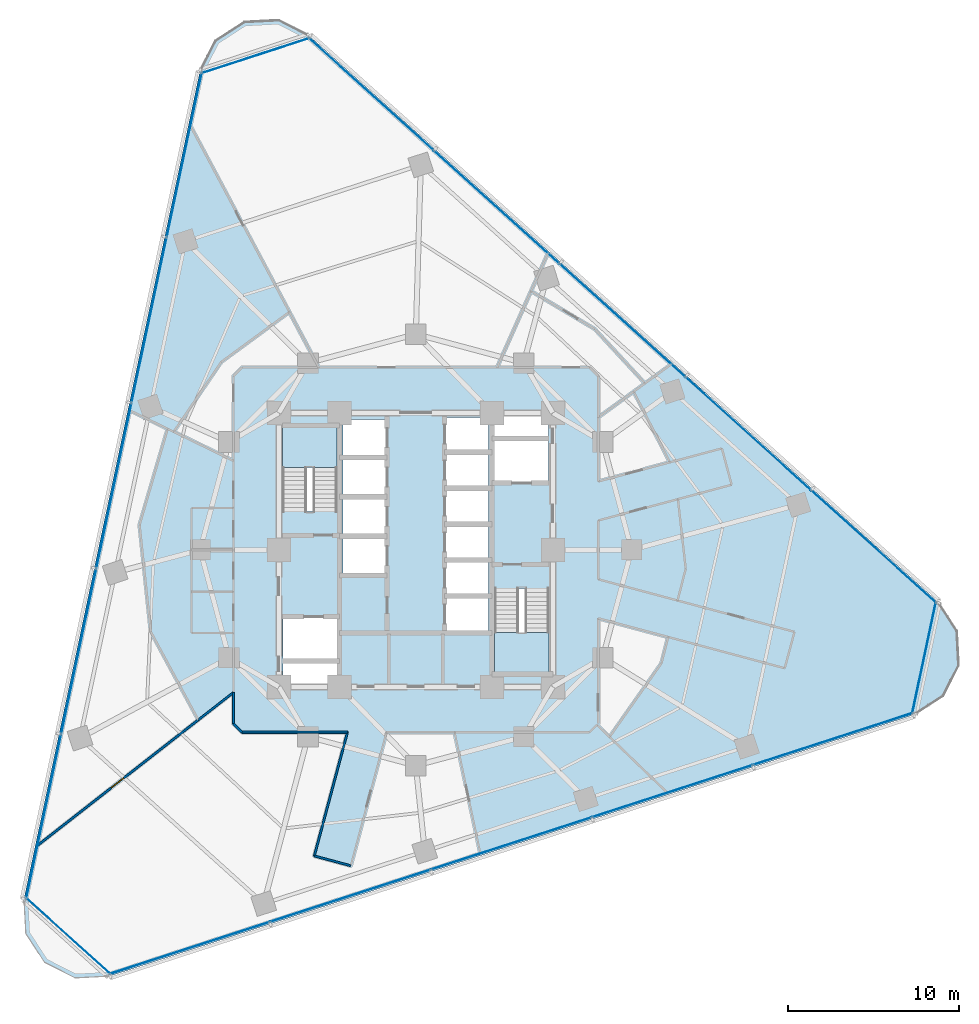
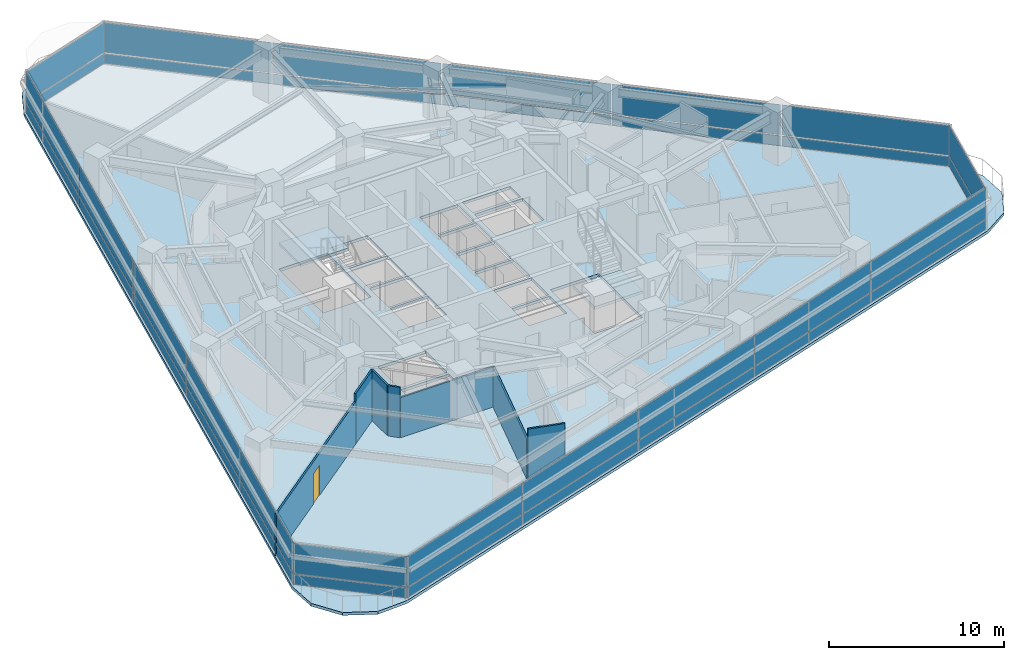
# One storey, part 6 of 13: 36 plates, 7 walls, 3 slabs, 1 door, 1 opening, 8 elements without a shape of their own.
"""IFC4 building model written with IfcOpenShell, lengths in metres."""

from ifc_helpers import new_model, si_unit, direction, frame, frame_2d, origin, origin_2d, place, context, subcontext, project, spatial, polyline, rectangle, outline, extrude, material, layer, layer_set, type_object, element, fill, aggregate, save


model = new_model("IFC4")

# Units and contexts
model_context = context("Model", 3, precision=1e-05, world=origin(), true_north=direction((0.0, 1.0)))
body_context = subcontext(model_context, "Body", "Model", "MODEL_VIEW")
ifc_project = project(units=[si_unit("LENGTHUNIT", "METRE"), si_unit("AREAUNIT", "SQUARE_METRE"), si_unit("VOLUMEUNIT", "CUBIC_METRE"), si_unit("PLANEANGLEUNIT", "RADIAN"), si_unit("MASSUNIT", "GRAM", prefix="KILO")], contexts=[model_context])

# Site, building, storey
site_placement = place(None, origin())
site = spatial("IfcSite", under=ifc_project, at=site_placement, CompositionType="ELEMENT")
building_placement = place(site_placement, origin())
building = spatial("IfcBuilding", under=site, at=building_placement, Name="Terralouvre Media Tower", CompositionType="ELEMENT")
storey_placement = place(building_placement, frame((0.0, 0.0, 105.10009765625)))
storey = spatial("IfcBuildingStorey", under=building, at=storey_placement, Name="L26", CompositionType="ELEMENT", Elevation=105.10009765625)

# Slab
ifc_material_1 = material(Name="Concrete C40/50", Category="concrete")
ifc_layer_1 = layer(ifc_material_1, 0.199951171875, Name="Composite Tower Floor Slab S-TYP200")
ifc_layer_set_1 = layer_set([ifc_layer_1], Name="Concrete C40/50")
slab_type_1 = type_object("IfcSlabType", Name="Composite Tower Floor Slab S-TYP200", PredefinedType="FLOOR", material=ifc_layer_set_1)
slab_1_placement = place(storey_placement, frame((0.0, 0.0, -0.2001953125), z_axis=(0.0, 0.0, 1.0), x_axis=(0.951056516295, 0.309016994375, 0.0)))
element("IfcSlab", 1, at=slab_1_placement, inside=storey, type_object=slab_type_1, Name="L26 Structural Floor Slab", PredefinedType="FLOOR", context=body_context, shape_type="SweptSolid", body=[
    extrude(outline(polyline([(-28.080078125, -12.33203125), (-28.60009765625, -14.272216796875), (-28.080078125, -16.212158203125), (-26.659912109375, -17.63232421875), (-24.719970703125, -18.152099609375), (24.719970703125, -18.152099609375), (26.659912109375, -17.63232421875), (28.080078125, -16.212158203125), (28.60009765625, -14.272216796875), (28.080078125, -12.33203125), (3.360107421875, 30.484130859375), (1.93994140625, 31.904296875), (0.0, 32.424072265625), (-1.93994140625, 31.904296875), (-3.360107421875, 30.484130859375), (-28.080078125, -12.33203125)]), holes=[polyline([(-6.78515625, -5.996826171875), (-9.781005859375, -5.0234375), (-9.41015625, -3.882080078125), (-6.414306640625, -4.85546875), (-6.78515625, -5.996826171875)]), polyline([(-6.3525390625, -4.665283203125), (-9.348388671875, -3.69189453125), (-8.59130859375, -1.36181640625), (-5.595458984375, -2.335205078125), (-6.3525390625, -4.665283203125)]), polyline([(-2.103271484375, -0.809814453125), (-4.480712890625, -0.037109375), (-3.819580078125, 1.998046875), (-1.44189453125, 1.2255859375), (-2.103271484375, -0.809814453125)]), polyline([(-1.392333984375, 1.377685546875), (-3.77001953125, 2.150146484375), (-3.108642578125, 4.185546875), (-0.731201171875, 3.4130859375), (-1.392333984375, 1.377685546875)]), polyline([(4.5302734375, 0.189453125), (2.152587890625, 0.9619140625), (2.752197265625, 2.806884765625), (5.129638671875, 2.034423828125), (4.5302734375, 0.189453125)]), polyline([(-0.681640625, 3.565185546875), (-3.059326171875, 4.337646484375), (-2.39794921875, 6.373046875), (-0.020263671875, 5.600341796875), (-0.681640625, 3.565185546875)]), polyline([(-3.68115234375, 3.556640625), (-6.70556640625, 4.539306640625), (-5.15576171875, 9.308837890625), (-2.13134765625, 8.326171875), (-3.68115234375, 3.556640625)]), polyline([(0.029052734375, 5.752685546875), (-2.3486328125, 6.525146484375), (-1.687255859375, 8.560302734375), (0.6904296875, 7.787841796875), (0.029052734375, 5.752685546875)]), polyline([(3.68115234375, -3.556640625), (6.70556640625, -4.539306640625), (5.15576171875, -9.308837890625), (2.13134765625, -8.326171875), (3.68115234375, -3.556640625)]), polyline([(2.58349609375, -5.80224609375), (0.205810546875, -5.02978515625), (0.80517578125, -3.184814453125), (3.182861328125, -3.957275390625), (2.58349609375, -5.80224609375)]), polyline([(3.232421875, -3.80517578125), (0.854736328125, -3.032470703125), (1.4541015625, -1.1875), (3.831787109375, -1.9599609375), (3.232421875, -3.80517578125)]), polyline([(3.88134765625, -1.807861328125), (1.503662109375, -1.035400390625), (2.103271484375, 0.809814453125), (4.480712890625, 0.037109375), (3.88134765625, -1.807861328125)]), polyline([(5.17919921875, 2.1865234375), (2.801513671875, 2.959228515625), (3.401123046875, 4.80419921875), (5.778564453125, 4.031494140625), (5.17919921875, 2.1865234375)]), polyline([(8.59130859375, 1.36181640625), (5.595458984375, 2.335205078125), (6.3525390625, 4.665283203125), (9.348388671875, 3.69189453125), (8.59130859375, 1.36181640625)]), polyline([(5.828125, 4.183837890625), (3.450439453125, 4.956298828125), (4.050048828125, 6.80126953125), (6.427490234375, 6.02880859375), (5.828125, 4.183837890625)]), polyline([(9.41015625, 3.882080078125), (6.414306640625, 4.85546875), (6.78515625, 5.996826171875), (9.781005859375, 5.0234375), (9.41015625, 3.882080078125)])]), origin(), (0.0, 0.0, 1.0), 0.2001953125),
])

# Stair, slab
ifc_material_2 = material(Name="Concrete C45/55", Category="concrete")
stair_type_1 = type_object("IfcStairType", Name="Dogleg Stair Assembly ST-01", PredefinedType="HALF_TURN_STAIR", material=ifc_material_2)
stair_1_placement = place(storey_placement, origin())
stair_1 = element("IfcStair", 2, at=stair_1_placement, inside=storey, type_object=stair_type_1, Name="L26 Core Pressurised Exit Stair ST-01", PredefinedType="HALF_TURN_STAIR")
ifc_material_3 = material(Name="Concrete C45/55", Category="concrete")
ifc_layer_2 = layer(ifc_material_3, 0.199951171875, Name="Reinforced Concrete Stair Half-Landing SL-LD1")
ifc_layer_set_2 = layer_set([ifc_layer_2], Name="Concrete C45/55")
slab_type_2 = type_object("IfcSlabType", Name="Reinforced Concrete Stair Half-Landing SL-LD1", PredefinedType="LANDING", material=ifc_layer_set_2)
slab_2_placement = place(storey_placement, frame((0.0, 0.0, 1.64990234375)))
slab_2 = element("IfcSlab", 3, at=slab_2_placement, type_object=slab_type_2, Name="ST-01 landing 1", PredefinedType="LANDING", context=body_context, shape_type="SweptSolid", body=[
    extrude(outline(polyline([(-4.60009765625, 4.820068359375), (-4.60009765625, 7.260009765625), (-7.780029296875, 7.260009765625), (-7.780029296875, 4.820068359375), (-4.60009765625, 4.820068359375)])), origin(), (0.0, 0.0, 1.0), 0.199951171875),
])
aggregate(stair_1, [slab_2])

ifc_material_4 = material(Name="Concrete C45/55", Category="concrete")
stair_type_2 = type_object("IfcStairType", Name="Dogleg Stair Assembly ST-02", PredefinedType="HALF_TURN_STAIR", material=ifc_material_4)
stair_2_placement = place(storey_placement, origin())
stair_2 = element("IfcStair", 4, at=stair_2_placement, inside=storey, type_object=stair_type_2, Name="L26 Core Pressurised Exit Stair ST-02", PredefinedType="HALF_TURN_STAIR")
slab_3_placement = place(storey_placement, frame((0.0, 0.0, 1.64990234375)))
slab_3 = element("IfcSlab", 5, at=slab_3_placement, type_object=slab_type_2, Name="ST-02 landing 1", PredefinedType="LANDING", context=body_context, shape_type="SweptSolid", body=[
    extrude(outline(polyline([(4.60009765625, -4.820068359375), (4.60009765625, -7.260009765625), (7.780029296875, -7.260009765625), (7.780029296875, -4.820068359375), (4.60009765625, -4.820068359375)])), origin(), (0.0, 0.0, 1.0), 0.199951171875),
])
aggregate(stair_2, [slab_3])

# Curtain wall, plates
ifc_material_5 = material(Name="Low-iron laminated double glazing with solar-control coating", Category="glass")
ifc_layer_3 = layer(ifc_material_5, 0.1650390625, Name="Rounded Wind-Corner Curved Glazing CW-04")
ifc_layer_set_3 = layer_set([ifc_layer_3], Name="Low-iron laminated double glazing with solar-control coating")
curtain_wall_type_1 = type_object("IfcCurtainWallType", Name="Rounded Wind-Corner Curved Glazing CW-04", PredefinedType="NOTDEFINED", material=ifc_layer_set_3)
curtain_wall_1_placement = place(storey_placement, origin())
curtain_wall_1 = element("IfcCurtainWall", 6, at=curtain_wall_1_placement, inside=storey, type_object=curtain_wall_type_1, Name="L26 Rounded Wind-Corner Curtain Wall C0", PredefinedType="NOTDEFINED")
ifc_material_6 = material(Name="Low-iron laminated double glazing with solar-control coating", Category="glass")
ifc_layer_4 = layer(ifc_material_6, 0.0400390625, Name="Rounded Corner Laminated Vision Panel CWP-03")
ifc_layer_set_4 = layer_set([ifc_layer_4], Name="Low-iron laminated double glazing with solar-control coating")
plate_type_1 = type_object("IfcPlateType", Name="Rounded Corner Laminated Vision Panel CWP-03", PredefinedType="CURTAIN_PANEL", material=ifc_layer_set_4)
plate_1_placement = place(storey_placement, frame((-20.30419921875, -22.550048828125, 0.074951171875), z_axis=(0.0, 0.0, 1.0), x_axis=(0.743144668471, -0.669130780732, 0.0)))
plate_1 = element("IfcPlate", 7, at=plate_1_placement, type_object=plate_type_1, Name="CW-04 panel 1.1", PredefinedType="CURTAIN_PANEL", context=body_context, shape_type="SweptSolid", body=[
    extrude(rectangle(XDim=6.5703125, YDim=0.035888671875, at=origin_2d()), origin(), (0.0, 0.0, 1.0), 0.6875),
])
plate_2_placement = place(storey_placement, frame((-20.30419921875, -22.550048828125, 0.83740234375), z_axis=(0.0, 0.0, 1.0), x_axis=(0.743144668471, -0.669130780732, 0.0)))
plate_2 = element("IfcPlate", 8, at=plate_2_placement, type_object=plate_type_1, Name="CW-04 panel 1.2", PredefinedType="CURTAIN_PANEL", context=body_context, shape_type="SweptSolid", body=[
    extrude(rectangle(XDim=6.5703125, YDim=0.035888671875, at=origin_2d()), origin(), (0.0, 0.0, 1.0), 2.08740234375),
])
aggregate(curtain_wall_1, [plate_1, plate_2])

curtain_wall_2_placement = place(storey_placement, origin())
curtain_wall_2 = element("IfcCurtainWall", 9, at=curtain_wall_2_placement, inside=storey, type_object=curtain_wall_type_1, Name="L26 Rounded Wind-Corner Curtain Wall C1", PredefinedType="NOTDEFINED")
plate_3_placement = place(storey_placement, frame((29.68115234375, -6.308837890625, 0.074951171875), z_axis=(0.0, 0.0, 1.0), x_axis=(0.207911611348, 0.978147617626, 0.0)))
plate_3 = element("IfcPlate", 10, at=plate_3_placement, type_object=plate_type_1, Name="CW-04 panel 1.1", PredefinedType="CURTAIN_PANEL", context=body_context, shape_type="SweptSolid", body=[
    extrude(rectangle(XDim=6.5703125, YDim=0.035888671875, at=origin_2d()), origin(), (0.0, 0.0, 1.0), 0.6875),
])
plate_4_placement = place(storey_placement, frame((29.68115234375, -6.308837890625, 0.83740234375), z_axis=(0.0, 0.0, 1.0), x_axis=(0.207911611348, 0.978147617626, 0.0)))
plate_4 = element("IfcPlate", 11, at=plate_4_placement, type_object=plate_type_1, Name="CW-04 panel 1.2", PredefinedType="CURTAIN_PANEL", context=body_context, shape_type="SweptSolid", body=[
    extrude(rectangle(XDim=6.5703125, YDim=0.035888671875, at=origin_2d()), origin(), (0.0, 0.0, 1.0), 2.08740234375),
])
aggregate(curtain_wall_2, [plate_3, plate_4])

curtain_wall_3_placement = place(storey_placement, origin())
curtain_wall_3 = element("IfcCurtainWall", 12, at=curtain_wall_3_placement, inside=storey, type_object=curtain_wall_type_1, Name="L26 Rounded Wind-Corner Curtain Wall C2", PredefinedType="NOTDEFINED")
plate_5_placement = place(storey_placement, frame((-9.376953125, 28.859130859375, 0.074951171875), z_axis=(0.0, 0.0, 1.0), x_axis=(-0.951056286408, -0.309017701894, 0.0)))
plate_5 = element("IfcPlate", 13, at=plate_5_placement, type_object=plate_type_1, Name="CW-04 panel 1.1", PredefinedType="CURTAIN_PANEL", context=body_context, shape_type="SweptSolid", body=[
    extrude(rectangle(XDim=6.5703125, YDim=0.035888671875, at=origin_2d()), origin(), (0.0, 0.0, 1.0), 0.6875),
])
plate_6_placement = place(storey_placement, frame((-9.376953125, 28.859130859375, 0.83740234375), z_axis=(0.0, 0.0, 1.0), x_axis=(-0.951056286408, -0.309017701894, 0.0)))
plate_6 = element("IfcPlate", 14, at=plate_6_placement, type_object=plate_type_1, Name="CW-04 panel 1.2", PredefinedType="CURTAIN_PANEL", context=body_context, shape_type="SweptSolid", body=[
    extrude(rectangle(XDim=6.5703125, YDim=0.035888671875, at=origin_2d()), origin(), (0.0, 0.0, 1.0), 2.08740234375),
])
aggregate(curtain_wall_3, [plate_5, plate_6])

ifc_material_7 = material(Name="Low-iron laminated double glazing with solar-control coating", Category="glass")
ifc_layer_5 = layer(ifc_material_7, 0.1650390625, Name="Lower Media Tower Unitised Curtain Wall CW-02")
ifc_layer_set_5 = layer_set([ifc_layer_5], Name="Low-iron laminated double glazing with solar-control coating")
curtain_wall_type_2 = type_object("IfcCurtainWallType", Name="Lower Media Tower Unitised Curtain Wall CW-02", PredefinedType="NOTDEFINED", material=ifc_layer_set_5)
curtain_wall_4_placement = place(storey_placement, origin())
curtain_wall_4 = element("IfcCurtainWall", 15, at=curtain_wall_4_placement, inside=storey, type_object=curtain_wall_type_2, Name="L26 Facade Curtain Wall F0", PredefinedType="NOTDEFINED")
ifc_material_8 = material(Name="Low-iron laminated double glazing with solar-control coating", Category="glass")
ifc_layer_6 = layer(ifc_material_8, 0.035888671875, Name="Vision Double-Glazed Unit CWP-01")
ifc_layer_set_6 = layer_set([ifc_layer_6], Name="Low-iron laminated double glazing with solar-control coating")
plate_type_2 = type_object("IfcPlateType", Name="Vision Double-Glazed Unit CWP-01", PredefinedType="CURTAIN_PANEL", material=ifc_layer_set_6)
plate_7_placement = place(storey_placement, frame((-13.218017578125, -23.2548828125, 0.074951171875), z_axis=(0.0, 0.0, 1.0), x_axis=(0.951056509451, 0.309017015439, 0.0)))
plate_7 = element("IfcPlate", 16, at=plate_7_placement, type_object=plate_type_2, Name="CW-02 panel 1.1", PredefinedType="CURTAIN_PANEL", context=body_context, shape_type="SweptSolid", body=[
    extrude(rectangle(XDim=9.775390625, YDim=0.035888671875, at=origin_2d()), origin(), (0.0, 0.0, 1.0), 0.6875),
])
plate_8_placement = place(storey_placement, frame((-13.218017578125, -23.2548828125, 0.83740234375), z_axis=(0.0, 0.0, 1.0), x_axis=(0.951056509451, 0.309017015439, 0.0)))
plate_8 = element("IfcPlate", 17, at=plate_8_placement, type_object=plate_type_2, Name="CW-02 panel 1.2", PredefinedType="CURTAIN_PANEL", context=body_context, shape_type="SweptSolid", body=[
    extrude(rectangle(XDim=9.775390625, YDim=0.035888671875, at=origin_2d()), origin(), (0.0, 0.0, 1.0), 2.08740234375),
])
plate_9_placement = place(storey_placement, frame((-3.831787109375, -20.205078125, 0.074951171875), z_axis=(0.0, 0.0, 1.0), x_axis=(0.951056509451, 0.309017015439, 0.0)))
plate_9 = element("IfcPlate", 18, at=plate_9_placement, type_object=plate_type_2, Name="CW-02 panel 2.1", PredefinedType="CURTAIN_PANEL", context=body_context, shape_type="SweptSolid", body=[
    extrude(rectangle(XDim=9.81298828125, YDim=0.035888671875, at=origin_2d()), origin(), (0.0, 0.0, 1.0), 0.6875),
])
plate_10_placement = place(storey_placement, frame((-3.831787109375, -20.205078125, 0.83740234375), z_axis=(0.0, 0.0, 1.0), x_axis=(0.951056509451, 0.309017015439, 0.0)))
plate_10 = element("IfcPlate", 19, at=plate_10_placement, type_object=plate_type_2, Name="CW-02 panel 2.2", PredefinedType="CURTAIN_PANEL", context=body_context, shape_type="SweptSolid", body=[
    extrude(rectangle(XDim=9.81298828125, YDim=0.035888671875, at=origin_2d()), origin(), (0.0, 0.0, 1.0), 2.08740234375),
])
plate_11_placement = place(storey_placement, frame((5.572265625, -17.149658203125, 0.074951171875), z_axis=(0.0, 0.0, 1.0), x_axis=(0.951056509451, 0.309017015439, 0.0)))
plate_11 = element("IfcPlate", 20, at=plate_11_placement, type_object=plate_type_2, Name="CW-02 panel 3.1", PredefinedType="CURTAIN_PANEL", context=body_context, shape_type="SweptSolid", body=[
    extrude(rectangle(XDim=9.81298828125, YDim=0.035888671875, at=origin_2d()), origin(), (0.0, 0.0, 1.0), 0.6875),
])
plate_12_placement = place(storey_placement, frame((5.572265625, -17.149658203125, 0.83740234375), z_axis=(0.0, 0.0, 1.0), x_axis=(0.951056509451, 0.309017015439, 0.0)))
plate_12 = element("IfcPlate", 21, at=plate_12_placement, type_object=plate_type_2, Name="CW-02 panel 3.2", PredefinedType="CURTAIN_PANEL", context=body_context, shape_type="SweptSolid", body=[
    extrude(rectangle(XDim=9.81298828125, YDim=0.035888671875, at=origin_2d()), origin(), (0.0, 0.0, 1.0), 2.08740234375),
])
plate_13_placement = place(storey_placement, frame((14.976318359375, -14.093994140625, 0.074951171875), z_axis=(0.0, 0.0, 1.0), x_axis=(0.951056509451, 0.309017015439, 0.0)))
plate_13 = element("IfcPlate", 22, at=plate_13_placement, type_object=plate_type_2, Name="CW-02 panel 4.1", PredefinedType="CURTAIN_PANEL", context=body_context, shape_type="SweptSolid", body=[
    extrude(rectangle(XDim=9.81298828125, YDim=0.035888671875, at=origin_2d()), origin(), (0.0, 0.0, 1.0), 0.6875),
])
plate_14_placement = place(storey_placement, frame((14.976318359375, -14.093994140625, 0.83740234375), z_axis=(0.0, 0.0, 1.0), x_axis=(0.951056509451, 0.309017015439, 0.0)))
plate_14 = element("IfcPlate", 23, at=plate_14_placement, type_object=plate_type_2, Name="CW-02 panel 4.2", PredefinedType="CURTAIN_PANEL", context=body_context, shape_type="SweptSolid", body=[
    extrude(rectangle(XDim=9.81298828125, YDim=0.035888671875, at=origin_2d()), origin(), (0.0, 0.0, 1.0), 2.08740234375),
])
plate_15_placement = place(storey_placement, frame((24.362548828125, -11.044189453125, 0.074951171875), z_axis=(0.0, 0.0, 1.0), x_axis=(0.951056509451, 0.309017015439, 0.0)))
plate_15 = element("IfcPlate", 24, at=plate_15_placement, type_object=plate_type_2, Name="CW-02 panel 5.1", PredefinedType="CURTAIN_PANEL", context=body_context, shape_type="SweptSolid", body=[
    extrude(rectangle(XDim=9.775390625, YDim=0.035888671875, at=origin_2d()), origin(), (0.0, 0.0, 1.0), 0.6875),
])
plate_16_placement = place(storey_placement, frame((24.362548828125, -11.044189453125, 0.83740234375), z_axis=(0.0, 0.0, 1.0), x_axis=(0.951056509451, 0.309017015439, 0.0)))
plate_16 = element("IfcPlate", 25, at=plate_16_placement, type_object=plate_type_2, Name="CW-02 panel 5.2", PredefinedType="CURTAIN_PANEL", context=body_context, shape_type="SweptSolid", body=[
    extrude(rectangle(XDim=9.775390625, YDim=0.035888671875, at=origin_2d()), origin(), (0.0, 0.0, 1.0), 2.08740234375),
])
aggregate(curtain_wall_4, [plate_7, plate_8, plate_9, plate_10, plate_11, plate_12, plate_13, plate_14, plate_15, plate_16])

curtain_wall_5_placement = place(storey_placement, origin())
curtain_wall_5 = element("IfcCurtainWall", 26, at=curtain_wall_5_placement, inside=storey, type_object=curtain_wall_type_2, Name="L26 Facade Curtain Wall F1", PredefinedType="NOTDEFINED")
plate_17_placement = place(storey_placement, frame((26.748291015625, 0.18017578125, 0.074951171875), z_axis=(0.0, 0.0, 1.0), x_axis=(-0.743144795545, 0.669130639602, 0.0)))
plate_17 = element("IfcPlate", 27, at=plate_17_placement, type_object=plate_type_2, Name="CW-02 panel 1.1", PredefinedType="CURTAIN_PANEL", context=body_context, shape_type="SweptSolid", body=[
    extrude(rectangle(XDim=9.775390625, YDim=0.035888671875, at=origin_2d()), origin(), (0.0, 0.0, 1.0), 0.6875),
])
plate_18_placement = place(storey_placement, frame((26.748291015625, 0.18017578125, 0.83740234375), z_axis=(0.0, 0.0, 1.0), x_axis=(-0.743144795545, 0.669130639602, 0.0)))
plate_18 = element("IfcPlate", 28, at=plate_18_placement, type_object=plate_type_2, Name="CW-02 panel 1.2", PredefinedType="CURTAIN_PANEL", context=body_context, shape_type="SweptSolid", body=[
    extrude(rectangle(XDim=9.775390625, YDim=0.035888671875, at=origin_2d()), origin(), (0.0, 0.0, 1.0), 2.08740234375),
])
plate_19_placement = place(storey_placement, frame((19.4140625, 6.7841796875, 0.074951171875), z_axis=(0.0, 0.0, 1.0), x_axis=(-0.743144795545, 0.669130639602, 0.0)))
plate_19 = element("IfcPlate", 29, at=plate_19_placement, type_object=plate_type_2, Name="CW-02 panel 2.1", PredefinedType="CURTAIN_PANEL", context=body_context, shape_type="SweptSolid", body=[
    extrude(rectangle(XDim=9.81298828125, YDim=0.035888671875, at=origin_2d()), origin(), (0.0, 0.0, 1.0), 0.6875),
])
plate_20_placement = place(storey_placement, frame((19.4140625, 6.7841796875, 0.83740234375), z_axis=(0.0, 0.0, 1.0), x_axis=(-0.743144795545, 0.669130639602, 0.0)))
plate_20 = element("IfcPlate", 30, at=plate_20_placement, type_object=plate_type_2, Name="CW-02 panel 2.2", PredefinedType="CURTAIN_PANEL", context=body_context, shape_type="SweptSolid", body=[
    extrude(rectangle(XDim=9.81298828125, YDim=0.035888671875, at=origin_2d()), origin(), (0.0, 0.0, 1.0), 2.08740234375),
])
plate_21_placement = place(storey_placement, frame((12.06591796875, 13.400390625, 0.074951171875), z_axis=(0.0, 0.0, 1.0), x_axis=(-0.743144795545, 0.669130639602, 0.0)))
plate_21 = element("IfcPlate", 31, at=plate_21_placement, type_object=plate_type_2, Name="CW-02 panel 3.1", PredefinedType="CURTAIN_PANEL", context=body_context, shape_type="SweptSolid", body=[
    extrude(rectangle(XDim=9.81298828125, YDim=0.035888671875, at=origin_2d()), origin(), (0.0, 0.0, 1.0), 0.6875),
])
plate_22_placement = place(storey_placement, frame((12.06591796875, 13.400390625, 0.83740234375), z_axis=(0.0, 0.0, 1.0), x_axis=(-0.743144795545, 0.669130639602, 0.0)))
plate_22 = element("IfcPlate", 32, at=plate_22_placement, type_object=plate_type_2, Name="CW-02 panel 3.2", PredefinedType="CURTAIN_PANEL", context=body_context, shape_type="SweptSolid", body=[
    extrude(rectangle(XDim=9.81298828125, YDim=0.035888671875, at=origin_2d()), origin(), (0.0, 0.0, 1.0), 2.08740234375),
])
plate_23_placement = place(storey_placement, frame((4.717529296875, 20.016845703125, 0.074951171875), z_axis=(0.0, 0.0, 1.0), x_axis=(-0.743144795545, 0.669130639602, 0.0)))
plate_23 = element("IfcPlate", 33, at=plate_23_placement, type_object=plate_type_2, Name="CW-02 panel 4.1", PredefinedType="CURTAIN_PANEL", context=body_context, shape_type="SweptSolid", body=[
    extrude(rectangle(XDim=9.81298828125, YDim=0.035888671875, at=origin_2d()), origin(), (0.0, 0.0, 1.0), 0.6875),
])
plate_24_placement = place(storey_placement, frame((4.717529296875, 20.016845703125, 0.83740234375), z_axis=(0.0, 0.0, 1.0), x_axis=(-0.743144795545, 0.669130639602, 0.0)))
plate_24 = element("IfcPlate", 34, at=plate_24_placement, type_object=plate_type_2, Name="CW-02 panel 4.2", PredefinedType="CURTAIN_PANEL", context=body_context, shape_type="SweptSolid", body=[
    extrude(rectangle(XDim=9.81298828125, YDim=0.035888671875, at=origin_2d()), origin(), (0.0, 0.0, 1.0), 2.08740234375),
])
plate_25_placement = place(storey_placement, frame((-2.61669921875, 26.62060546875, 0.074951171875), z_axis=(0.0, 0.0, 1.0), x_axis=(-0.743144795545, 0.669130639602, 0.0)))
plate_25 = element("IfcPlate", 35, at=plate_25_placement, type_object=plate_type_2, Name="CW-02 panel 5.1", PredefinedType="CURTAIN_PANEL", context=body_context, shape_type="SweptSolid", body=[
    extrude(rectangle(XDim=9.775390625, YDim=0.035888671875, at=origin_2d()), origin(), (0.0, 0.0, 1.0), 0.6875),
])
plate_26_placement = place(storey_placement, frame((-2.61669921875, 26.62060546875, 0.83740234375), z_axis=(0.0, 0.0, 1.0), x_axis=(-0.743144795545, 0.669130639602, 0.0)))
plate_26 = element("IfcPlate", 36, at=plate_26_placement, type_object=plate_type_2, Name="CW-02 panel 5.2", PredefinedType="CURTAIN_PANEL", context=body_context, shape_type="SweptSolid", body=[
    extrude(rectangle(XDim=9.775390625, YDim=0.035888671875, at=origin_2d()), origin(), (0.0, 0.0, 1.0), 2.08740234375),
])
aggregate(curtain_wall_5, [plate_17, plate_18, plate_19, plate_20, plate_21, plate_22, plate_23, plate_24, plate_25, plate_26])

curtain_wall_6_placement = place(storey_placement, origin())
curtain_wall_6 = element("IfcCurtainWall", 37, at=curtain_wall_6_placement, inside=storey, type_object=curtain_wall_type_2, Name="L26 Facade Curtain Wall F2", PredefinedType="NOTDEFINED")
plate_27_placement = place(storey_placement, frame((-13.5302734375, 23.07470703125, 0.074951171875), z_axis=(0.0, 0.0, 1.0), x_axis=(-0.207911643887, -0.978147610709, 0.0)))
plate_27 = element("IfcPlate", 38, at=plate_27_placement, type_object=plate_type_2, Name="CW-02 panel 1.1", PredefinedType="CURTAIN_PANEL", context=body_context, shape_type="SweptSolid", body=[
    extrude(rectangle(XDim=9.775390625, YDim=0.035888671875, at=origin_2d()), origin(), (0.0, 0.0, 1.0), 0.6875),
])
plate_28_placement = place(storey_placement, frame((-13.5302734375, 23.07470703125, 0.83740234375), z_axis=(0.0, 0.0, 1.0), x_axis=(-0.207911643887, -0.978147610709, 0.0)))
plate_28 = element("IfcPlate", 39, at=plate_28_placement, type_object=plate_type_2, Name="CW-02 panel 1.2", PredefinedType="CURTAIN_PANEL", context=body_context, shape_type="SweptSolid", body=[
    extrude(rectangle(XDim=9.775390625, YDim=0.035888671875, at=origin_2d()), origin(), (0.0, 0.0, 1.0), 2.08740234375),
])
plate_29_placement = place(storey_placement, frame((-15.582275390625, 13.4208984375, 0.074951171875), z_axis=(0.0, 0.0, 1.0), x_axis=(-0.207911643887, -0.978147610709, 0.0)))
plate_29 = element("IfcPlate", 40, at=plate_29_placement, type_object=plate_type_2, Name="CW-02 panel 2.1", PredefinedType="CURTAIN_PANEL", context=body_context, shape_type="SweptSolid", body=[
    extrude(rectangle(XDim=9.81298828125, YDim=0.035888671875, at=origin_2d()), origin(), (0.0, 0.0, 1.0), 0.6875),
])
plate_30_placement = place(storey_placement, frame((-15.582275390625, 13.4208984375, 0.83740234375), z_axis=(0.0, 0.0, 1.0), x_axis=(-0.207911643887, -0.978147610709, 0.0)))
plate_30 = element("IfcPlate", 41, at=plate_30_placement, type_object=plate_type_2, Name="CW-02 panel 2.2", PredefinedType="CURTAIN_PANEL", context=body_context, shape_type="SweptSolid", body=[
    extrude(rectangle(XDim=9.81298828125, YDim=0.035888671875, at=origin_2d()), origin(), (0.0, 0.0, 1.0), 2.08740234375),
])
plate_31_placement = place(storey_placement, frame((-17.637939453125, 3.7490234375, 0.074951171875), z_axis=(0.0, 0.0, 1.0), x_axis=(-0.207911643887, -0.978147610709, 0.0)))
plate_31 = element("IfcPlate", 42, at=plate_31_placement, type_object=plate_type_2, Name="CW-02 panel 3.1", PredefinedType="CURTAIN_PANEL", context=body_context, shape_type="SweptSolid", body=[
    extrude(rectangle(XDim=9.81298828125, YDim=0.035888671875, at=origin_2d()), origin(), (0.0, 0.0, 1.0), 0.6875),
])
plate_32_placement = place(storey_placement, frame((-17.637939453125, 3.7490234375, 0.83740234375), z_axis=(0.0, 0.0, 1.0), x_axis=(-0.207911643887, -0.978147610709, 0.0)))
plate_32 = element("IfcPlate", 43, at=plate_32_placement, type_object=plate_type_2, Name="CW-02 panel 3.2", PredefinedType="CURTAIN_PANEL", context=body_context, shape_type="SweptSolid", body=[
    extrude(rectangle(XDim=9.81298828125, YDim=0.035888671875, at=origin_2d()), origin(), (0.0, 0.0, 1.0), 2.08740234375),
])
plate_33_placement = place(storey_placement, frame((-19.69384765625, -5.9228515625, 0.074951171875), z_axis=(0.0, 0.0, 1.0), x_axis=(-0.207911643887, -0.978147610709, 0.0)))
plate_33 = element("IfcPlate", 44, at=plate_33_placement, type_object=plate_type_2, Name="CW-02 panel 4.1", PredefinedType="CURTAIN_PANEL", context=body_context, shape_type="SweptSolid", body=[
    extrude(rectangle(XDim=9.81298828125, YDim=0.035888671875, at=origin_2d()), origin(), (0.0, 0.0, 1.0), 0.6875),
])
plate_34_placement = place(storey_placement, frame((-19.69384765625, -5.9228515625, 0.83740234375), z_axis=(0.0, 0.0, 1.0), x_axis=(-0.207911643887, -0.978147610709, 0.0)))
plate_34 = element("IfcPlate", 45, at=plate_34_placement, type_object=plate_type_2, Name="CW-02 panel 4.2", PredefinedType="CURTAIN_PANEL", context=body_context, shape_type="SweptSolid", body=[
    extrude(rectangle(XDim=9.81298828125, YDim=0.035888671875, at=origin_2d()), origin(), (0.0, 0.0, 1.0), 2.08740234375),
])
plate_35_placement = place(storey_placement, frame((-21.745849609375, -15.576416015625, 0.074951171875), z_axis=(0.0, 0.0, 1.0), x_axis=(-0.207911643887, -0.978147610709, 0.0)))
plate_35 = element("IfcPlate", 46, at=plate_35_placement, type_object=plate_type_2, Name="CW-02 panel 5.1", PredefinedType="CURTAIN_PANEL", context=body_context, shape_type="SweptSolid", body=[
    extrude(rectangle(XDim=9.775390625, YDim=0.035888671875, at=origin_2d()), origin(), (0.0, 0.0, 1.0), 0.6875),
])
plate_36_placement = place(storey_placement, frame((-21.745849609375, -15.576416015625, 0.83740234375), z_axis=(0.0, 0.0, 1.0), x_axis=(-0.207911643887, -0.978147610709, 0.0)))
plate_36 = element("IfcPlate", 47, at=plate_36_placement, type_object=plate_type_2, Name="CW-02 panel 5.2", PredefinedType="CURTAIN_PANEL", context=body_context, shape_type="SweptSolid", body=[
    extrude(rectangle(XDim=9.775390625, YDim=0.035888671875, at=origin_2d()), origin(), (0.0, 0.0, 1.0), 2.08740234375),
])
aggregate(curtain_wall_6, [plate_27, plate_28, plate_29, plate_30, plate_31, plate_32, plate_33, plate_34, plate_35, plate_36])

# Walls
ifc_material_9 = material(Name="Fire-rated gypsum board drywall partition")
ifc_layer_7 = layer(ifc_material_9, 0.114990234375, Name="Restroom and Pantry Partition PT-115")
ifc_layer_set_7 = layer_set([ifc_layer_7], Name="Fire-rated gypsum board drywall partition")
wall_type = type_object("IfcWallType", Name="Restroom and Pantry Partition PT-115", PredefinedType="PARTITIONING", material=ifc_layer_set_7)
wall_1_placement = place(storey_placement, frame((-10.64990234375, -8.321044921875, 0.0), z_axis=(0.0, 0.0, 1.0), x_axis=(0.0, -1.0, 0.0)))
element("IfcWall", 48, at=wall_1_placement, inside=storey, type_object=wall_type, Name="L26 Interior Partition 001", PredefinedType="PARTITIONING", context=body_context, shape_type="SweptSolid", body=[
    extrude(rectangle(XDim=1.828857421875, YDim=0.114990234375, at=frame_2d((0.91455078125, 0.0))), origin(), (0.0, 0.0, 1.0), 3.5),
])
wall_2_placement = place(storey_placement, frame((-10.64990234375, -10.14990234375, 0.0), z_axis=(0.0, 0.0, 1.0), x_axis=(0.707106781187, -0.707106781187, 0.0)))
element("IfcWall", 49, at=wall_2_placement, inside=storey, type_object=wall_type, Name="L26 Interior Partition 002", PredefinedType="PARTITIONING", context=body_context, shape_type="SweptSolid", body=[
    extrude(rectangle(XDim=0.70703125, YDim=0.114990234375, at=frame_2d((0.353515625, 0.0))), origin(), (0.0, 0.0, 1.0), 3.5),
])
wall_3_placement = place(storey_placement, frame((-10.14990234375, -10.64990234375, 0.0), z_axis=(0.0, 0.0, 1.0), x_axis=(1.0, 0.0, 0.0)))
element("IfcWall", 50, at=wall_3_placement, inside=storey, type_object=wall_type, Name="L26 Interior Partition 003", PredefinedType="PARTITIONING", context=body_context, shape_type="SweptSolid", body=[
    extrude(rectangle(XDim=6.157958984375, YDim=0.114990234375, at=frame_2d((3.0791015625, 0.0))), origin(), (0.0, 0.0, 1.0), 2.784912109375),
])
wall_4_placement = place(storey_placement, frame((-3.991943359375, -10.64990234375, 0.0), z_axis=(0.0, 0.0, 1.0), x_axis=(-0.258828534142, -0.965923283659, 0.0)))
element("IfcWall", 51, at=wall_4_placement, inside=storey, type_object=wall_type, Name="L26 Interior Partition 004", PredefinedType="PARTITIONING", context=body_context, shape_type="SweptSolid", body=[
    extrude(rectangle(XDim=7.47998046875, YDim=0.114990234375, at=frame_2d((3.739990234375, 0.0))), origin(), (0.0, 0.0, 1.0), 2.784912109375),
])
wall_5_placement = place(storey_placement, frame((-5.927978515625, -17.875, 0.0), z_axis=(0.0, 0.0, 1.0), x_axis=(0.965959937537, -0.258691706618, 0.0)))
element("IfcWall", 52, at=wall_5_placement, inside=storey, type_object=wall_type, Name="L26 Interior Partition 005", PredefinedType="PARTITIONING", context=body_context, shape_type="SweptSolid", body=[
    extrude(rectangle(XDim=2.199951171875, YDim=0.114990234375, at=frame_2d((1.10009765625, 0.0))), origin(), (0.0, 0.0, 1.0), 3.5),
])
wall_6_placement = place(storey_placement, frame((-10.64990234375, -8.321044921875, 0.0), z_axis=(0.0, 0.0, 1.0), x_axis=(-0.787998815749, -0.615676754782, 0.0)))
element("IfcWall", 53, at=wall_6_placement, inside=storey, type_object=wall_type, Name="L26 Interior Partition 035", PredefinedType="PARTITIONING", context=body_context, shape_type="SweptSolid", body=[
    extrude(rectangle(XDim=2.60693359375, YDim=0.114990234375, at=frame_2d((1.303466796875, 0.0))), origin(), (0.0, 0.0, 1.0), 3.5),
])

# Wall, opening, door
wall_7_placement = place(storey_placement, frame((-12.7041015625, -9.926025390625, 0.0), z_axis=(0.0, 0.0, 1.0), x_axis=(-0.788033940978, -0.615631795692, 0.0)))
wall_7 = element("IfcWall", 54, at=wall_7_placement, inside=storey, type_object=wall_type, Name="L26 Interior Partition 036", PredefinedType="PARTITIONING", context=body_context, shape_type="SweptSolid", body=[
    extrude(rectangle(XDim=11.9931640625, YDim=0.114990234375, at=frame_2d((5.99658203125, 0.0))), origin(), (0.0, 0.0, 1.0), 2.934814453125),
])
opening_placement = place(wall_7_placement, frame((5.53662109375, 0.0, 0.0)))
opening = element("IfcOpeningElement", 55, at=opening_placement, cuts=wall_7, Name="Opening ID-03-92X210", PredefinedType="OPENING", context=body_context, shape_type="SweptSolid", body=[
    extrude(rectangle(XDim=0.919921875, YDim=2.10009765625, at=frame_2d((0.4599609375, 1.050048828125))), frame((0.0, 0.0673828125, 0.0), z_axis=(0.0, -1.0, 0.0), x_axis=(1.0, 0.0, 0.0)), (0.0, 0.0, 1.0), 0.135009765625),
])
ifc_material_10 = material(Name="Engineered hardwood acoustic timber leaf", Category="wood")
door_type = type_object("IfcDoorType", Name="Accessible Restroom and Suite Door ID-03 (920x2100)", OperationType="NOTDEFINED", PredefinedType="DOOR", material=ifc_material_10)
door_placement = place(opening_placement, origin())
door = element("IfcDoor", 56, at=door_placement, inside=storey, type_object=door_type, Name="L26 Club Administration Office 7 Door", OperationType="SINGLE_SWING_RIGHT", OverallHeight=2.10009765625, OverallWidth=0.919921875, PredefinedType="DOOR", context=body_context, shape_type="SweptSolid", body=[
    extrude(rectangle(XDim=0.919921875, YDim=2.10009765625, at=frame_2d((0.4599609375, 1.050048828125))), frame((0.0, 0.02490234375, 0.0), z_axis=(0.0, -1.0, 0.0), x_axis=(1.0, 0.0, 0.0)), (0.0, 0.0, 1.0), 0.050048828125),
])
fill(opening, door)

save(model, "model.ifc")
